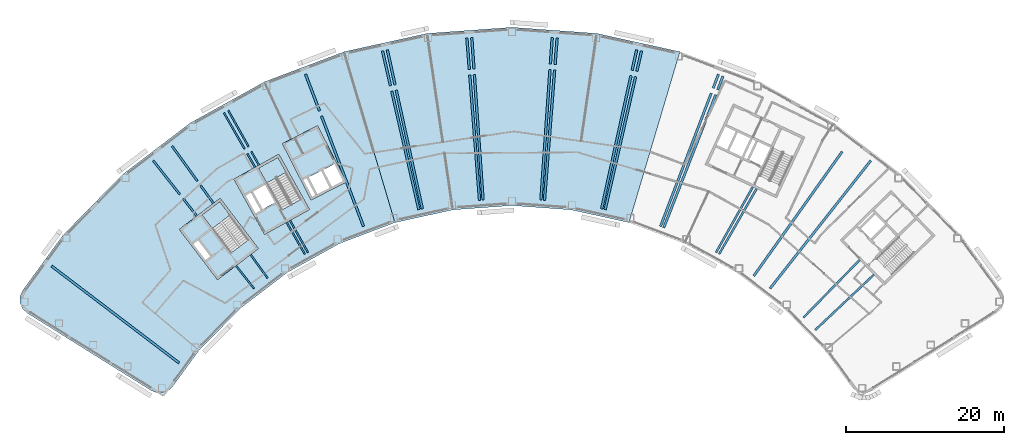
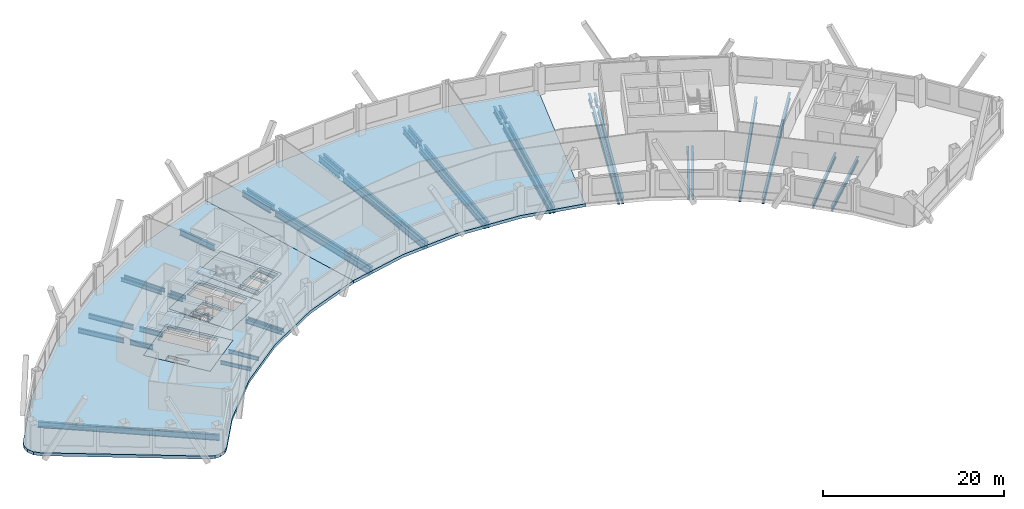
# One storey, part 3 of 12: 41 beams, 7 slabs, 2 elements without a shape of their own.
"""IFC4 building model written with IfcOpenShell, lengths in metres."""

from ifc_helpers import new_model, si_unit, direction, frame, origin, origin_2d, place, context, subcontext, project, spatial, polyline, i_section, outline, extrude, material, layer, layer_set, material_profile, profile_set, type_object, element, aggregate, save


model = new_model("IFC4")

# Units and contexts
model_context = context("Model", 3, precision=1e-05, world=origin(), true_north=direction((0.0, 1.0)))
body_context = subcontext(model_context, "Body", "Model", "MODEL_VIEW")
ifc_project = project(units=[si_unit("LENGTHUNIT", "METRE"), si_unit("AREAUNIT", "SQUARE_METRE"), si_unit("VOLUMEUNIT", "CUBIC_METRE"), si_unit("PLANEANGLEUNIT", "RADIAN"), si_unit("MASSUNIT", "GRAM", prefix="KILO")], contexts=[model_context])

# Site, building, storey
site_placement = place(None, origin())
site = spatial("IfcSite", under=ifc_project, at=site_placement, CompositionType="ELEMENT")
building_placement = place(site_placement, origin())
building = spatial("IfcBuilding", under=site, at=building_placement, Name="Tuul Gate Civic Tower", CompositionType="ELEMENT")
storey_placement = place(building_placement, frame((0.0, 0.0, 172.10009765625)))
storey = spatial("IfcBuildingStorey", under=building, at=storey_placement, Name="Level 39", CompositionType="ELEMENT", Elevation=172.10009765625)

# Beams
ifc_material_1 = material(Name="Steel S355", Category="steel")
ifc_material_profile_1 = material_profile(ifc_material_1, i_section(OverallWidth=0.199951171875, OverallDepth=0.5, WebThickness=0.010009765625, FlangeThickness=0.01611328125, at=origin_2d()), Name="PG500x200x10x16")
ifc_profile_set_1 = profile_set([ifc_material_profile_1], Name="Steel S355")
beam_type_1 = type_object("IfcBeamType", Name="STR-FLOOR BEAM-PG500x200x10x16", PredefinedType="BEAM", material=ifc_profile_set_1)
beam_1_placement = place(storey_placement, frame((-24.83154296875, -14.277587890625, -0.650146484375), z_axis=(-0.489484399747, 0.872012054048, 0.0), x_axis=(-0.872012054048, -0.489484399747, 0.0)))
element("IfcBeam", 1, at=beam_1_placement, inside=storey, type_object=beam_type_1, Name="Floor beam", PredefinedType="BEAM", context=body_context, shape_type="SweptSolid", body=[
    extrude(i_section(OverallWidth=0.199951171875, OverallDepth=0.5, WebThickness=0.010009765625, FlangeThickness=0.01611328125, at=origin_2d()), origin(), (0.0, 0.0, 1.0), 4.656494140625),
])
beam_2_placement = place(storey_placement, frame((-31.0263671875, -3.24072265625, -0.650146484375), z_axis=(-0.489442796824, 0.87203540561, 0.0), x_axis=(-0.87203540561, -0.489442796824, 0.0)))
element("IfcBeam", 2, at=beam_2_placement, inside=storey, type_object=beam_type_1, Name="Floor beam", PredefinedType="BEAM", context=body_context, shape_type="SweptSolid", body=[
    extrude(i_section(OverallWidth=0.199951171875, OverallDepth=0.5, WebThickness=0.010009765625, FlangeThickness=0.01611328125, at=origin_2d()), origin(), (0.0, 0.0, 1.0), 1.9833984375),
])
beam_3_placement = place(storey_placement, frame((-32.33984375, -0.900634765625, -0.650146484375), z_axis=(-0.489441262226, 0.872036266924, 0.0), x_axis=(-0.872036266924, -0.489441262226, 0.0)))
element("IfcBeam", 3, at=beam_3_placement, inside=storey, type_object=beam_type_1, Name="Floor beam", PredefinedType="BEAM", context=body_context, shape_type="SweptSolid", body=[
    extrude(i_section(OverallWidth=0.199951171875, OverallDepth=0.5, WebThickness=0.010009765625, FlangeThickness=0.01611328125, at=origin_2d()), origin(), (0.0, 0.0, 1.0), 5.260009765625),
])
beam_4_placement = place(storey_placement, frame((-25.223876953125, -14.494873046875, -0.650146484375), z_axis=(-0.496855816623, 0.867833104628, 0.0), x_axis=(-0.867833104628, -0.496855816623, 0.0)))
element("IfcBeam", 4, at=beam_4_placement, inside=storey, type_object=beam_type_1, Name="Floor beam", PredefinedType="BEAM", context=body_context, shape_type="SweptSolid", body=[
    extrude(i_section(OverallWidth=0.199951171875, OverallDepth=0.5, WebThickness=0.010009765625, FlangeThickness=0.01611328125, at=origin_2d()), origin(), (0.0, 0.0, 1.0), 4.65673828125),
])
beam_5_placement = place(storey_placement, frame((-31.512451171875, -3.51025390625, -0.650146484375), z_axis=(-0.496867766694, 0.867826262809, 0.0), x_axis=(-0.867826262809, -0.496867766694, 0.0)))
element("IfcBeam", 5, at=beam_5_placement, inside=storey, type_object=beam_type_1, Name="Floor beam", PredefinedType="BEAM", context=body_context, shape_type="SweptSolid", body=[
    extrude(i_section(OverallWidth=0.199951171875, OverallDepth=0.5, WebThickness=0.010009765625, FlangeThickness=0.01611328125, at=origin_2d()), origin(), (0.0, 0.0, 1.0), 1.983642578125),
])
beam_6_placement = place(storey_placement, frame((-32.845947265625, -1.181396484375, -0.650146484375), z_axis=(-0.496813511024, 0.867857324255, 0.0), x_axis=(-0.867857324255, -0.496813511024, 0.0)))
element("IfcBeam", 6, at=beam_6_placement, inside=storey, type_object=beam_type_1, Name="Floor beam", PredefinedType="BEAM", context=body_context, shape_type="SweptSolid", body=[
    extrude(i_section(OverallWidth=0.199951171875, OverallDepth=0.5, WebThickness=0.010009765625, FlangeThickness=0.01611328125, at=origin_2d()), origin(), (0.0, 0.0, 1.0), 5.260498046875),
])
beam_7_placement = place(storey_placement, frame((-29.938720703125, -17.5244140625, -0.650146484375), z_axis=(-0.586077121726, 0.810255272978, 0.0), x_axis=(-0.810255272978, -0.586077121726, 0.0)))
element("IfcBeam", 7, at=beam_7_placement, inside=storey, type_object=beam_type_1, Name="Floor beam", PredefinedType="BEAM", context=body_context, shape_type="SweptSolid", body=[
    extrude(i_section(OverallWidth=0.199951171875, OverallDepth=0.5, WebThickness=0.010009765625, FlangeThickness=0.01611328125, at=origin_2d()), origin(), (0.0, 0.0, 1.0), 3.676513671875),
])
beam_8_placement = place(storey_placement, frame((-31.663330078125, -18.837646484375, -0.650146484375), z_axis=(-0.61890326905, 0.785467213548, 0.0), x_axis=(-0.785467213548, -0.61890326905, 0.0)))
element("IfcBeam", 8, at=beam_8_placement, inside=storey, type_object=beam_type_1, Name="Floor beam", PredefinedType="BEAM", context=body_context, shape_type="SweptSolid", body=[
    extrude(i_section(OverallWidth=0.199951171875, OverallDepth=0.5, WebThickness=0.010009765625, FlangeThickness=0.01611328125, at=origin_2d()), origin(), (0.0, 0.0, 1.0), 3.676025390625),
])
ifc_material_2 = material(Name="Steel S355", Category="steel")
ifc_material_profile_2 = material_profile(ifc_material_2, i_section(OverallWidth=0.25, OverallDepth=0.64990234375, WebThickness=0.011962890625, FlangeThickness=0.02001953125, at=origin_2d()), Name="PG650x250x12x20")
ifc_profile_set_2 = profile_set([ifc_material_profile_2], Name="Steel S355")
beam_type_2 = type_object("IfcBeamType", Name="STR-FLOOR BEAM-PG650x250x12x20", PredefinedType="BEAM", material=ifc_profile_set_2)
beam_9_placement = place(storey_placement, frame((39.375732421875, -24.079345703125, -0.72509765625), z_axis=(0.727477750202, 0.686131272397, 0.0), x_axis=(-0.686131272397, 0.727477750202, 0.0)))
element("IfcBeam", 9, at=beam_9_placement, inside=storey, type_object=beam_type_2, Name="Floor beam", PredefinedType="BEAM", context=body_context, shape_type="SweptSolid", body=[
    extrude(i_section(OverallWidth=0.25, OverallDepth=0.64990234375, WebThickness=0.011962890625, FlangeThickness=0.02001953125, at=origin_2d()), origin(), (0.0, 0.0, 1.0), 10.197509765625),
])
beam_10_placement = place(storey_placement, frame((37.8583984375, -22.531005859375, -0.72509765625), z_axis=(0.69868994415, 0.715424602557, 0.0), x_axis=(-0.715424602557, 0.69868994415, 0.0)))
element("IfcBeam", 10, at=beam_10_placement, inside=storey, type_object=beam_type_2, Name="Floor beam", PredefinedType="BEAM", context=body_context, shape_type="SweptSolid", body=[
    extrude(i_section(OverallWidth=0.25, OverallDepth=0.64990234375, WebThickness=0.011962890625, FlangeThickness=0.02001953125, at=origin_2d()), origin(), (0.0, 0.0, 1.0), 10.19775390625),
])
beam_11_placement = place(storey_placement, frame((27.20361328125, -14.4951171875, -0.72509765625), z_axis=(0.496841171009, 0.867841489438, 0.0), x_axis=(-0.867841489438, 0.496841171009, 0.0)))
element("IfcBeam", 11, at=beam_11_placement, inside=storey, type_object=beam_type_2, Name="Floor beam", PredefinedType="BEAM", context=body_context, shape_type="SweptSolid", body=[
    extrude(i_section(OverallWidth=0.25, OverallDepth=0.64990234375, WebThickness=0.011962890625, FlangeThickness=0.02001953125, at=origin_2d()), origin(), (0.0, 0.0, 1.0), 9.545166015625),
])
beam_12_placement = place(storey_placement, frame((26.8115234375, -14.27783203125, -0.72509765625), z_axis=(0.489442951192, 0.872035318968, 0.0), x_axis=(-0.872035318968, 0.489442951192, 0.0)))
element("IfcBeam", 12, at=beam_12_placement, inside=storey, type_object=beam_type_2, Name="Floor beam", PredefinedType="BEAM", context=body_context, shape_type="SweptSolid", body=[
    extrude(i_section(OverallWidth=0.25, OverallDepth=0.64990234375, WebThickness=0.011962890625, FlangeThickness=0.02001953125, at=origin_2d()), origin(), (0.0, 0.0, 1.0), 9.50732421875),
])
beam_13_placement = place(storey_placement, frame((-36.783447265625, -8.061767578125, -0.72509765625), z_axis=(-0.586118560453, 0.810225297736, 0.0), x_axis=(-0.810225297736, -0.586118560453, 0.0)))
element("IfcBeam", 13, at=beam_13_placement, inside=storey, type_object=beam_type_2, Name="Floor beam", PredefinedType="BEAM", context=body_context, shape_type="SweptSolid", body=[
    extrude(i_section(OverallWidth=0.25, OverallDepth=0.64990234375, WebThickness=0.011962890625, FlangeThickness=0.02001953125, at=origin_2d()), origin(), (0.0, 0.0, 1.0), 2.78125),
])
beam_14_placement = place(storey_placement, frame((-38.82373046875, -5.240966796875, -0.72509765625), z_axis=(-0.586109141006, 0.8102321117, 0.0), x_axis=(-0.8102321117, -0.586109141006, 0.0)))
element("IfcBeam", 14, at=beam_14_placement, inside=storey, type_object=beam_type_2, Name="Floor beam", PredefinedType="BEAM", context=body_context, shape_type="SweptSolid", body=[
    extrude(i_section(OverallWidth=0.25, OverallDepth=0.64990234375, WebThickness=0.011962890625, FlangeThickness=0.02001953125, at=origin_2d()), origin(), (0.0, 0.0, 1.0), 5.445556640625),
])
beam_15_placement = place(storey_placement, frame((-38.889892578125, -9.66552734375, -0.72509765625), z_axis=(-0.618864019144, 0.785498138641, 0.0), x_axis=(-0.785498138641, -0.618864019144, 0.0)))
element("IfcBeam", 15, at=beam_15_placement, inside=storey, type_object=beam_type_2, Name="Floor beam", PredefinedType="BEAM", context=body_context, shape_type="SweptSolid", body=[
    extrude(i_section(OverallWidth=0.25, OverallDepth=0.64990234375, WebThickness=0.011962890625, FlangeThickness=0.02001953125, at=origin_2d()), origin(), (0.0, 0.0, 1.0), 2.78076171875),
])
beam_16_placement = place(storey_placement, frame((-41.044189453125, -6.93115234375, -0.72509765625), z_axis=(-0.618864680921, 0.785497617252, 0.0), x_axis=(-0.785497617252, -0.618864680921, 0.0)))
element("IfcBeam", 16, at=beam_16_placement, inside=storey, type_object=beam_type_2, Name="Floor beam", PredefinedType="BEAM", context=body_context, shape_type="SweptSolid", body=[
    extrude(i_section(OverallWidth=0.25, OverallDepth=0.64990234375, WebThickness=0.011962890625, FlangeThickness=0.02001953125, at=origin_2d()), origin(), (0.0, 0.0, 1.0), 5.444580078125),
])
ifc_material_3 = material(Name="Steel S355", Category="steel")
ifc_material_profile_3 = material_profile(ifc_material_3, i_section(OverallWidth=0.300048828125, OverallDepth=0.800048828125, WebThickness=0.013916015625, FlangeThickness=0.02490234375, at=origin_2d()), Name="PG800x300x14x25")
ifc_profile_set_3 = profile_set([ifc_material_profile_3], Name="Steel S355")
beam_type_3 = type_object("IfcBeamType", Name="STR-FLOOR BEAM-PG800x300x14x25", PredefinedType="BEAM", material=ifc_profile_set_3)
beam_17_placement = place(storey_placement, frame((33.643310546875, -18.837890625, -0.800048828125), z_axis=(0.618862477873, 0.785499352947, 0.0), x_axis=(-0.785499352947, 0.618862477873, 0.0)))
element("IfcBeam", 17, at=beam_17_placement, inside=storey, type_object=beam_type_3, Name="Floor beam", PredefinedType="BEAM", context=body_context, shape_type="SweptSolid", body=[
    extrude(i_section(OverallWidth=0.300048828125, OverallDepth=0.800048828125, WebThickness=0.013916015625, FlangeThickness=0.02490234375, at=origin_2d()), origin(), (0.0, 0.0, 1.0), 20.602294921875),
])
beam_18_placement = place(storey_placement, frame((31.576171875, -17.26416015625, -0.800048828125), z_axis=(0.579461098143, 0.814999899227, 0.0), x_axis=(-0.814999899227, 0.579461098143, 0.0)))
element("IfcBeam", 18, at=beam_18_placement, inside=storey, type_object=beam_type_3, Name="Floor beam", PredefinedType="BEAM", context=body_context, shape_type="SweptSolid", body=[
    extrude(i_section(OverallWidth=0.300048828125, OverallDepth=0.800048828125, WebThickness=0.013916015625, FlangeThickness=0.02490234375, at=origin_2d()), origin(), (0.0, 0.0, 1.0), 19.3134765625),
])
beam_19_placement = place(storey_placement, frame((20.196533203125, -11.144775390625, -0.800048828125), z_axis=(0.364045417521, 0.931381196923, 0.0), x_axis=(-0.931381196923, 0.364045417521, 0.0)))
element("IfcBeam", 19, at=beam_19_placement, inside=storey, type_object=beam_type_3, Name="Floor beam", PredefinedType="BEAM", context=body_context, shape_type="SweptSolid", body=[
    extrude(i_section(OverallWidth=0.300048828125, OverallDepth=0.800048828125, WebThickness=0.013916015625, FlangeThickness=0.02490234375, at=origin_2d()), origin(), (0.0, 0.0, 1.0), 18.051513671875),
])
beam_20_placement = place(storey_placement, frame((27.02294921875, 6.31982421875, -0.800048828125), z_axis=(0.364031177061, 0.931386762912, 0.0), x_axis=(-0.931386762912, 0.364031177061, 0.0)))
element("IfcBeam", 20, at=beam_20_placement, inside=storey, type_object=beam_type_3, Name="Floor beam", PredefinedType="BEAM", context=body_context, shape_type="SweptSolid", body=[
    extrude(i_section(OverallWidth=0.300048828125, OverallDepth=0.800048828125, WebThickness=0.013916015625, FlangeThickness=0.02490234375, at=origin_2d()), origin(), (0.0, 0.0, 1.0), 1.850341796875),
])
beam_21_placement = place(storey_placement, frame((19.77734375, -10.986083984375, -0.800048828125), z_axis=(0.356116966881, 0.934441387086, 0.0), x_axis=(-0.934441387086, 0.356116966881, 0.0)))
element("IfcBeam", 21, at=beam_21_placement, inside=storey, type_object=beam_type_3, Name="Floor beam", PredefinedType="BEAM", context=body_context, shape_type="SweptSolid", body=[
    extrude(i_section(OverallWidth=0.300048828125, OverallDepth=0.800048828125, WebThickness=0.013916015625, FlangeThickness=0.02490234375, at=origin_2d()), origin(), (0.0, 0.0, 1.0), 18.027587890625),
])
beam_22_placement = place(storey_placement, frame((26.44921875, 6.520751953125, -0.800048828125), z_axis=(0.356153168733, 0.934427589705, 0.0), x_axis=(-0.934427589705, 0.356153168733, 0.0)))
element("IfcBeam", 22, at=beam_22_placement, inside=storey, type_object=beam_type_3, Name="Floor beam", PredefinedType="BEAM", context=body_context, shape_type="SweptSolid", body=[
    extrude(i_section(OverallWidth=0.300048828125, OverallDepth=0.800048828125, WebThickness=0.013916015625, FlangeThickness=0.02490234375, at=origin_2d()), origin(), (0.0, 0.0, 1.0), 1.865234375),
])
beam_23_placement = place(storey_placement, frame((12.77392578125, -8.85888671875, -0.800048828125), z_axis=(0.223367758259, 0.974734243048, 0.0), x_axis=(-0.974734243048, 0.223367758259, 0.0)))
element("IfcBeam", 23, at=beam_23_placement, inside=storey, type_object=beam_type_3, Name="Floor beam", PredefinedType="BEAM", context=body_context, shape_type="SweptSolid", body=[
    extrude(i_section(OverallWidth=0.300048828125, OverallDepth=0.800048828125, WebThickness=0.013916015625, FlangeThickness=0.02490234375, at=origin_2d()), origin(), (0.0, 0.0, 1.0), 17.262939453125),
])
beam_24_placement = place(storey_placement, frame((16.786376953125, 8.650146484375, -0.800048828125), z_axis=(0.223324861936, 0.974744072073, 0.0), x_axis=(-0.974744072073, 0.223324861936, 0.0)))
element("IfcBeam", 24, at=beam_24_placement, inside=storey, type_object=beam_type_3, Name="Floor beam", PredefinedType="BEAM", context=body_context, shape_type="SweptSolid", body=[
    extrude(i_section(OverallWidth=0.300048828125, OverallDepth=0.800048828125, WebThickness=0.013916015625, FlangeThickness=0.02490234375, at=origin_2d()), origin(), (0.0, 0.0, 1.0), 2.637939453125),
])
beam_25_placement = place(storey_placement, frame((12.336181640625, -8.762451171875, -0.800048828125), z_axis=(0.215071682463, 0.976598265103, 0.0), x_axis=(-0.976598265103, 0.215071682463, 0.0)))
element("IfcBeam", 25, at=beam_25_placement, inside=storey, type_object=beam_type_3, Name="Floor beam", PredefinedType="BEAM", context=body_context, shape_type="SweptSolid", body=[
    extrude(i_section(OverallWidth=0.300048828125, OverallDepth=0.800048828125, WebThickness=0.013916015625, FlangeThickness=0.02490234375, at=origin_2d()), origin(), (0.0, 0.0, 1.0), 17.262451171875),
])
beam_26_placement = place(storey_placement, frame((16.199462890625, 8.779541015625, -0.800048828125), z_axis=(0.215087768651, 0.976594722378, 0.0), x_axis=(-0.976594722378, 0.215087768651, 0.0)))
element("IfcBeam", 26, at=beam_26_placement, inside=storey, type_object=beam_type_3, Name="Floor beam", PredefinedType="BEAM", context=body_context, shape_type="SweptSolid", body=[
    extrude(i_section(OverallWidth=0.300048828125, OverallDepth=0.800048828125, WebThickness=0.013916015625, FlangeThickness=0.02490234375, at=origin_2d()), origin(), (0.0, 0.0, 1.0), 2.637939453125),
])
beam_27_placement = place(storey_placement, frame((5.0966796875, -7.686767578125, -0.800048828125), z_axis=(0.07783954179, 0.996965899986, 0.0), x_axis=(-0.996965899986, 0.07783954179, 0.0)))
element("IfcBeam", 27, at=beam_27_placement, inside=storey, type_object=beam_type_3, Name="Floor beam", PredefinedType="BEAM", context=body_context, shape_type="SweptSolid", body=[
    extrude(i_section(OverallWidth=0.300048828125, OverallDepth=0.800048828125, WebThickness=0.013916015625, FlangeThickness=0.02490234375, at=origin_2d()), origin(), (0.0, 0.0, 1.0), 16.544921875),
])
beam_28_placement = place(storey_placement, frame((6.43896484375, 9.505615234375, -0.800048828125), z_axis=(0.077848120576, 0.996965230147, 0.0), x_axis=(-0.996965230147, 0.077848120576, 0.0)))
element("IfcBeam", 28, at=beam_28_placement, inside=storey, type_object=beam_type_3, Name="Floor beam", PredefinedType="BEAM", context=body_context, shape_type="SweptSolid", body=[
    extrude(i_section(OverallWidth=0.300048828125, OverallDepth=0.800048828125, WebThickness=0.013916015625, FlangeThickness=0.02490234375, at=origin_2d()), origin(), (0.0, 0.0, 1.0), 3.355712890625),
])
beam_29_placement = place(storey_placement, frame((4.6494140625, -7.654296875, -0.800048828125), z_axis=(0.069370812316, 0.997590943422, 0.0), x_axis=(-0.997590943422, 0.069370812316, 0.0)))
element("IfcBeam", 29, at=beam_29_placement, inside=storey, type_object=beam_type_3, Name="Floor beam", PredefinedType="BEAM", context=body_context, shape_type="SweptSolid", body=[
    extrude(i_section(OverallWidth=0.300048828125, OverallDepth=0.800048828125, WebThickness=0.013916015625, FlangeThickness=0.02490234375, at=origin_2d()), origin(), (0.0, 0.0, 1.0), 16.54443359375),
])
beam_30_placement = place(storey_placement, frame((5.845703125, 9.548828125, -0.800048828125), z_axis=(0.069338945403, 0.997593158883, 0.0), x_axis=(-0.997593158883, 0.069338945403, 0.0)))
element("IfcBeam", 30, at=beam_30_placement, inside=storey, type_object=beam_type_3, Name="Floor beam", PredefinedType="BEAM", context=body_context, shape_type="SweptSolid", body=[
    extrude(i_section(OverallWidth=0.300048828125, OverallDepth=0.800048828125, WebThickness=0.013916015625, FlangeThickness=0.02490234375, at=origin_2d()), origin(), (0.0, 0.0, 1.0), 3.35546875),
])
beam_31_placement = place(storey_placement, frame((-2.669677734375, -7.654296875, -0.800048828125), z_axis=(-0.069357134159, 0.997591894485, 0.0), x_axis=(-0.997591894485, -0.069357134159, 0.0)))
element("IfcBeam", 31, at=beam_31_placement, inside=storey, type_object=beam_type_3, Name="Floor beam", PredefinedType="BEAM", context=body_context, shape_type="SweptSolid", body=[
    extrude(i_section(OverallWidth=0.300048828125, OverallDepth=0.800048828125, WebThickness=0.013916015625, FlangeThickness=0.02490234375, at=origin_2d()), origin(), (0.0, 0.0, 1.0), 15.91064453125),
])
beam_32_placement = place(storey_placement, frame((-3.82177734375, 8.916259765625, -0.800048828125), z_axis=(-0.069394324344, 0.997589308157, 0.0), x_axis=(-0.997589308157, -0.069394324344, 0.0)))
element("IfcBeam", 32, at=beam_32_placement, inside=storey, type_object=beam_type_3, Name="Floor beam", PredefinedType="BEAM", context=body_context, shape_type="SweptSolid", body=[
    extrude(i_section(OverallWidth=0.300048828125, OverallDepth=0.800048828125, WebThickness=0.013916015625, FlangeThickness=0.02490234375, at=origin_2d()), origin(), (0.0, 0.0, 1.0), 3.989501953125),
])
beam_33_placement = place(storey_placement, frame((-3.11669921875, -7.686767578125, -0.800048828125), z_axis=(-0.077841675243, 0.996965733411, 0.0), x_axis=(-0.996965733411, -0.077841675243, 0.0)))
element("IfcBeam", 33, at=beam_33_placement, inside=storey, type_object=beam_type_3, Name="Floor beam", PredefinedType="BEAM", context=body_context, shape_type="SweptSolid", body=[
    extrude(i_section(OverallWidth=0.300048828125, OverallDepth=0.800048828125, WebThickness=0.013916015625, FlangeThickness=0.02490234375, at=origin_2d()), origin(), (0.0, 0.0, 1.0), 15.910888671875),
])
beam_34_placement = place(storey_placement, frame((-4.40966796875, 8.87353515625, -0.800048828125), z_axis=(-0.077838249028, 0.996966000919, 0.0), x_axis=(-0.996966000919, -0.077838249028, 0.0)))
element("IfcBeam", 34, at=beam_34_placement, inside=storey, type_object=beam_type_3, Name="Floor beam", PredefinedType="BEAM", context=body_context, shape_type="SweptSolid", body=[
    extrude(i_section(OverallWidth=0.300048828125, OverallDepth=0.800048828125, WebThickness=0.013916015625, FlangeThickness=0.02490234375, at=origin_2d()), origin(), (0.0, 0.0, 1.0), 3.98974609375),
])
beam_35_placement = place(storey_placement, frame((-10.3564453125, -8.762451171875, -0.800048828125), z_axis=(-0.215060488586, 0.976600730211, 0.0), x_axis=(-0.976600730211, -0.215060488586, 0.0)))
element("IfcBeam", 35, at=beam_35_placement, inside=storey, type_object=beam_type_3, Name="Floor beam", PredefinedType="BEAM", context=body_context, shape_type="SweptSolid", body=[
    extrude(i_section(OverallWidth=0.300048828125, OverallDepth=0.800048828125, WebThickness=0.013916015625, FlangeThickness=0.02490234375, at=origin_2d()), origin(), (0.0, 0.0, 1.0), 15.37548828125),
])
beam_36_placement = place(storey_placement, frame((-13.813720703125, 6.936767578125, -0.800048828125), z_axis=(-0.215067637324, 0.976599155937, 0.0), x_axis=(-0.976599155937, -0.215067637324, 0.0)))
element("IfcBeam", 36, at=beam_36_placement, inside=storey, type_object=beam_type_3, Name="Floor beam", PredefinedType="BEAM", context=body_context, shape_type="SweptSolid", body=[
    extrude(i_section(OverallWidth=0.300048828125, OverallDepth=0.800048828125, WebThickness=0.013916015625, FlangeThickness=0.02490234375, at=origin_2d()), origin(), (0.0, 0.0, 1.0), 4.52490234375),
])
beam_37_placement = place(storey_placement, frame((-10.794189453125, -8.85888671875, -0.800048828125), z_axis=(-0.223359813125, 0.974736063702, 0.0), x_axis=(-0.974736063702, -0.223359813125, 0.0)))
element("IfcBeam", 37, at=beam_37_placement, inside=storey, type_object=beam_type_3, Name="Floor beam", PredefinedType="BEAM", context=body_context, shape_type="SweptSolid", body=[
    extrude(i_section(OverallWidth=0.300048828125, OverallDepth=0.800048828125, WebThickness=0.013916015625, FlangeThickness=0.02490234375, at=origin_2d()), origin(), (0.0, 0.0, 1.0), 15.375732421875),
])
beam_38_placement = place(storey_placement, frame((-14.385009765625, 6.810791015625, -0.800048828125), z_axis=(-0.223369748586, 0.974733786947, 0.0), x_axis=(-0.974733786947, -0.223369748586, 0.0)))
element("IfcBeam", 38, at=beam_38_placement, inside=storey, type_object=beam_type_3, Name="Floor beam", PredefinedType="BEAM", context=body_context, shape_type="SweptSolid", body=[
    extrude(i_section(OverallWidth=0.300048828125, OverallDepth=0.800048828125, WebThickness=0.013916015625, FlangeThickness=0.02490234375, at=origin_2d()), origin(), (0.0, 0.0, 1.0), 4.52490234375),
])
beam_39_placement = place(storey_placement, frame((-17.79736328125, -10.986083984375, -0.800048828125), z_axis=(-0.356120968185, 0.934439862174, 0.0), x_axis=(-0.934439862174, -0.356120968185, 0.0)))
element("IfcBeam", 39, at=beam_39_placement, inside=storey, type_object=beam_type_3, Name="Floor beam", PredefinedType="BEAM", context=body_context, shape_type="SweptSolid", body=[
    extrude(i_section(OverallWidth=0.300048828125, OverallDepth=0.800048828125, WebThickness=0.013916015625, FlangeThickness=0.02490234375, at=origin_2d()), origin(), (0.0, 0.0, 1.0), 14.948486328125),
])
beam_40_placement = place(storey_placement, frame((-23.3701171875, 3.636474609375, -0.800048828125), z_axis=(-0.356116288056, 0.934441645787, 0.0), x_axis=(-0.934441645787, -0.356116288056, 0.0)))
element("IfcBeam", 40, at=beam_40_placement, inside=storey, type_object=beam_type_3, Name="Floor beam", PredefinedType="BEAM", context=body_context, shape_type="SweptSolid", body=[
    extrude(i_section(OverallWidth=0.300048828125, OverallDepth=0.800048828125, WebThickness=0.013916015625, FlangeThickness=0.02490234375, at=origin_2d()), origin(), (0.0, 0.0, 1.0), 4.951904296875),
])
beam_41_placement = place(storey_placement, frame((-41.14453125, -28.25927734375, -0.800048828125), z_axis=(-0.796150584711, 0.605098542771, 0.0), x_axis=(-0.605098542771, -0.796150584711, 0.0)))
element("IfcBeam", 41, at=beam_41_placement, inside=storey, type_object=beam_type_3, Name="Floor beam", PredefinedType="BEAM", context=body_context, shape_type="SweptSolid", body=[
    extrude(i_section(OverallWidth=0.300048828125, OverallDepth=0.800048828125, WebThickness=0.013916015625, FlangeThickness=0.02490234375, at=origin_2d()), origin(), (0.0, 0.0, 1.0), 20.261962890625),
])

# Slabs
ifc_material_4 = material(Name="Concrete C40/50", Category="concrete")
ifc_layer_1 = layer(ifc_material_4, 0.39990234375)
ifc_layer_set_1 = layer_set([ifc_layer_1], Name="Concrete C40/50")
slab_type_1 = type_object("IfcSlabType", Name="Core floor slab 400", PredefinedType="FLOOR", material=ifc_layer_set_1)
slab_1_placement = place(storey_placement, frame((0.0, 0.0, -0.400146484375)))
element("IfcSlab", 42, at=slab_1_placement, inside=storey, type_object=slab_type_1, Name="FLOOR SLAB", PredefinedType="FLOOR", context=body_context, shape_type="SweptSolid", body=[
    extrude(outline(polyline([(-31.10009765625, -13.7890625), (-35.946044921875, -7.423828125), (-41.11767578125, -11.361572265625), (-36.271484375, -17.726806640625), (-31.10009765625, -13.7890625)]), holes=[polyline([(-37.19287109375, -14.783203125), (-38.737548828125, -12.75439453125), (-39.45361328125, -13.299560546875), (-37.908935546875, -15.328369140625), (-37.19287109375, -14.783203125)]), polyline([(-32.33935546875, -12.65771484375), (-34.56591796875, -14.352783203125), (-38.229736328125, -9.54052734375), (-36.003173828125, -7.845458984375), (-32.33935546875, -12.65771484375)])]), origin(), (0.0, 0.0, 1.0), 0.400146484375),
])
slab_2_placement = place(storey_placement, frame((0.0, 0.0, -0.400146484375)))
element("IfcSlab", 43, at=slab_2_placement, inside=storey, type_object=slab_type_1, Name="FLOOR SLAB", PredefinedType="FLOOR", context=body_context, shape_type="SweptSolid", body=[
    extrude(outline(polyline([(-24.638916015625, -8.846923828125), (-28.51708984375, -1.849853515625), (-34.2021484375, -5.0009765625), (-30.32421875, -11.998046875), (-24.638916015625, -8.846923828125)]), holes=[polyline([(-29.0185546875, -7.958740234375), (-30.254638671875, -5.728515625), (-31.785400390625, -6.576904296875), (-30.54931640625, -8.80712890625), (-29.0185546875, -7.958740234375)]), polyline([(-30.8115234375, -8.95263671875), (-32.047607421875, -6.72216796875), (-32.8349609375, -7.158447265625), (-31.5986328125, -9.388916015625), (-30.8115234375, -8.95263671875)]), polyline([(-25.702392578125, -7.548828125), (-28.14990234375, -8.905517578125), (-31.08203125, -3.615234375), (-28.63427734375, -2.2587890625), (-25.702392578125, -7.548828125)])]), origin(), (0.0, 0.0, 1.0), 0.400146484375),
])
ifc_material_5 = material(Name="Concrete C40/50", Category="concrete")
ifc_layer_2 = layer(ifc_material_5, 0.39990234375)
ifc_layer_set_2 = layer_set([ifc_layer_2], Name="Concrete C40/50")
slab_type_2 = type_object("IfcSlabType", Name="Core floor slab 400 non-bearing", PredefinedType="FLOOR", material=ifc_layer_set_2)
slab_3_placement = place(storey_placement, frame((0.0, 0.0, -0.400146484375)))
element("IfcSlab", 44, at=slab_3_placement, inside=storey, type_object=slab_type_2, Name="FLOOR SLAB", PredefinedType="FLOOR", context=body_context, shape_type="SweptSolid", body=[
    extrude(outline(polyline([(-19.98095703125, -5.365966796875), (-23.613037109375, 1.761962890625), (-28.068115234375, -0.508056640625), (-24.43603515625, -7.635986328125), (-19.98095703125, -5.365966796875)]), holes=[polyline([(-20.384521484375, -5.23486328125), (-21.47412109375, -3.096435546875), (-22.899658203125, -3.822998046875), (-21.81005859375, -5.961181640625), (-20.384521484375, -5.23486328125)]), polyline([(-22.077392578125, -6.097412109375), (-23.1669921875, -3.958984375), (-24.726318359375, -4.753662109375), (-23.63671875, -6.89208984375), (-22.077392578125, -6.097412109375)]), polyline([(-23.8359375, -7.161865234375), (-24.99365234375, -4.889892578125), (-25.5283203125, -5.162109375), (-24.37060546875, -7.434326171875), (-23.8359375, -7.161865234375)])]), origin(), (0.0, 0.0, 1.0), 0.400146484375),
])

# Stair, slab
ifc_material_6 = material(Name="Concrete C40/50", Category="concrete")
stair_type = type_object("IfcStairType", Name="Exit stair", PredefinedType="HALF_TURN_STAIR", material=ifc_material_6)
stair_1_placement = place(storey_placement, origin())
stair_1 = element("IfcStair", 45, at=stair_1_placement, inside=storey, type_object=stair_type, Name="Level 39 ST-1", PredefinedType="HALF_TURN_STAIR")
ifc_material_7 = material(Name="Concrete C40/50", Category="concrete")
ifc_layer_3 = layer(ifc_material_7, 0.199951171875)
ifc_layer_set_3 = layer_set([ifc_layer_3], Name="Concrete C40/50")
slab_type_3 = type_object("IfcSlabType", Name="Exit stair landing", PredefinedType="LANDING", material=ifc_layer_set_3)
slab_4_placement = place(storey_placement, frame((0.0, 0.0, 1.89990234375)))
slab_4 = element("IfcSlab", 46, at=slab_4_placement, type_object=slab_type_3, Name="ST-1 landing 1", PredefinedType="LANDING", context=body_context, shape_type="SweptSolid", body=[
    extrude(outline(polyline([(-34.699462890625, -9.554931640625), (-36.9287109375, -11.252197265625), (-38.23193359375, -9.540283203125), (-36.0029296875, -7.843017578125), (-34.699462890625, -9.554931640625)])), origin(), (0.0, 0.0, 1.0), 0.199951171875),
])
aggregate(stair_1, [slab_4])

stair_2_placement = place(storey_placement, origin())
stair_2 = element("IfcStair", 47, at=stair_2_placement, inside=storey, type_object=stair_type, Name="Level 39 ST-2", PredefinedType="HALF_TURN_STAIR")
slab_5_placement = place(storey_placement, frame((0.0, 0.0, 1.89990234375)))
slab_5 = element("IfcSlab", 48, at=slab_5_placement, type_object=slab_type_3, Name="ST-2 landing 1", PredefinedType="LANDING", context=body_context, shape_type="SweptSolid", body=[
    extrude(outline(polyline([(-27.5908203125, -4.138427734375), (-30.041015625, -5.49658203125), (-31.084228515625, -3.61474609375), (-28.6337890625, -2.256591796875), (-27.5908203125, -4.138427734375)])), origin(), (0.0, 0.0, 1.0), 0.199951171875),
])
aggregate(stair_2, [slab_5])

# Slabs
ifc_material_8 = material(Name="Concrete C35/45", Category="concrete")
ifc_layer_4 = layer(ifc_material_8, 0.39990234375)
ifc_layer_set_4 = layer_set([ifc_layer_4], Name="Concrete C35/45")
slab_type_4 = type_object("IfcSlabType", Name="STR-FLOOR-SLAB-400", PredefinedType="FLOOR", material=ifc_layer_set_4)
slab_6_placement = place(storey_placement, frame((0.0, 0.0, -0.400146484375)))
element("IfcSlab", 49, at=slab_6_placement, inside=storey, type_object=slab_type_4, Name="Level 39/slab/W", PredefinedType="FLOOR", context=body_context, shape_type="SweptSolid", body=[
    extrude(outline(polyline([(-20.843994140625, -13.154052734375), (-13.823974609375, -10.4990234375), (-20.258056640625, 11.123046875), (-30.326904296875, 7.31494140625), (-39.740966796875, 2.096923828125), (-48.305908203125, -4.424072265625), (-55.841064453125, -12.111083984375), (-60.922119140625, -19.06689453125), (-61.258056640625, -19.81103515625), (-61.27001953125, -20.6259765625), (-60.955078125, -21.37890625), (-60.365966796875, -21.943115234375), (-44.635986328125, -31.77197265625), (-43.94189453125, -32.04296875), (-43.197021484375, -32.0400390625), (-42.5048828125, -31.764892578125), (-41.9609375, -31.256103515625), (-38.632080078125, -26.697998046875), (-33.37890625, -21.337890625), (-27.407958984375, -16.7919921875), (-20.843994140625, -13.154052734375)]), holes=[polyline([(-31.10009765625, -13.7890625), (-36.27197265625, -17.72705078125), (-41.117919921875, -11.362060546875), (-35.946044921875, -7.424072265625), (-31.10009765625, -13.7890625)]), polyline([(-24.638916015625, -8.846923828125), (-30.323974609375, -11.998046875), (-34.201904296875, -5.0009765625), (-28.51708984375, -1.85009765625), (-24.638916015625, -8.846923828125)]), polyline([(-24.43603515625, -7.635986328125), (-28.068115234375, -0.508056640625), (-23.613037109375, 1.761962890625), (-19.98095703125, -5.365966796875), (-24.43603515625, -7.635986328125)])]), origin(), (0.0, 0.0, 1.0), 0.400146484375),
])
slab_7_placement = place(storey_placement, frame((0.0, 0.0, -0.400146484375)))
element("IfcSlab", 50, at=slab_7_placement, inside=storey, type_object=slab_type_4, Name="Level 39/slab/M", PredefinedType="FLOOR", context=body_context, shape_type="SweptSolid", body=[
    extrude(outline(polyline([(15.803955078125, -10.4990234375), (22.238037109375, 11.123046875), (11.72607421875, 13.43994140625), (0.989990234375, 14.217041015625), (-9.74609375, 13.43994140625), (-20.258056640625, 11.123046875), (-13.823974609375, -10.4990234375), (-6.4951171875, -8.884033203125), (0.989990234375, -8.342041015625), (8.47509765625, -8.884033203125), (15.803955078125, -10.4990234375)])), origin(), (0.0, 0.0, 1.0), 0.400146484375),
])

save(model, "model.ifc")
